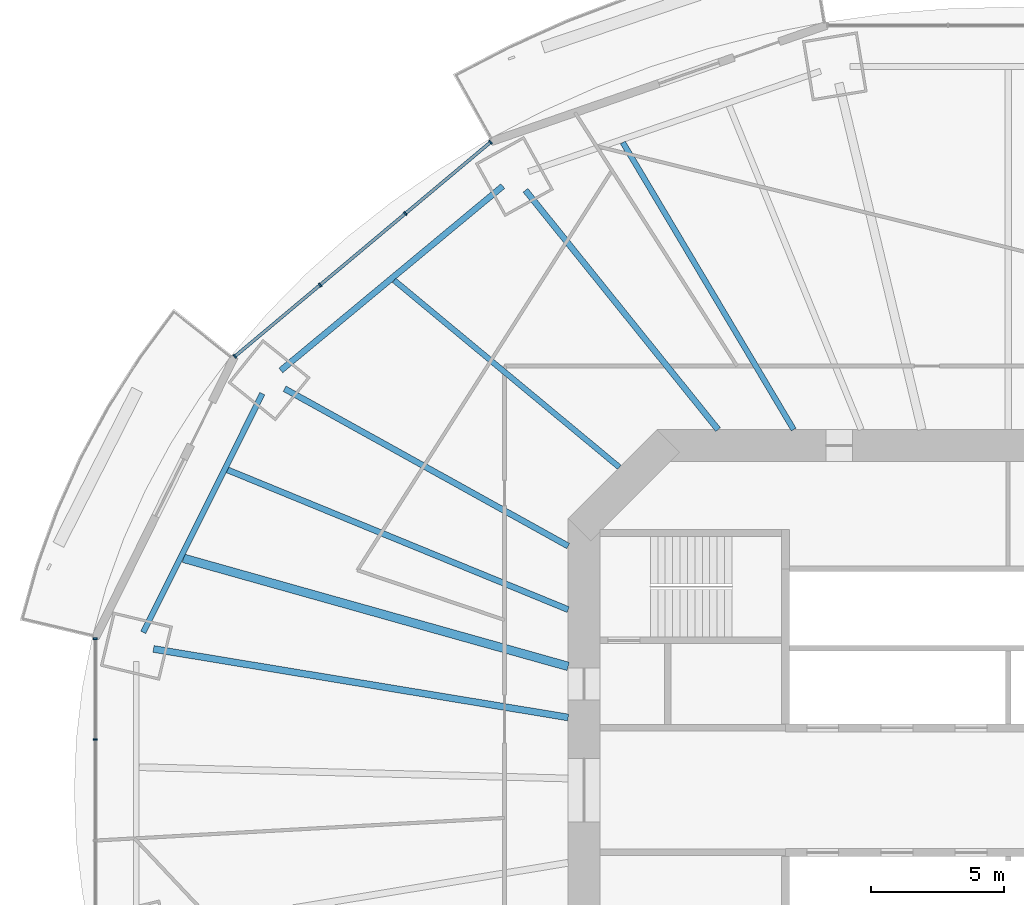
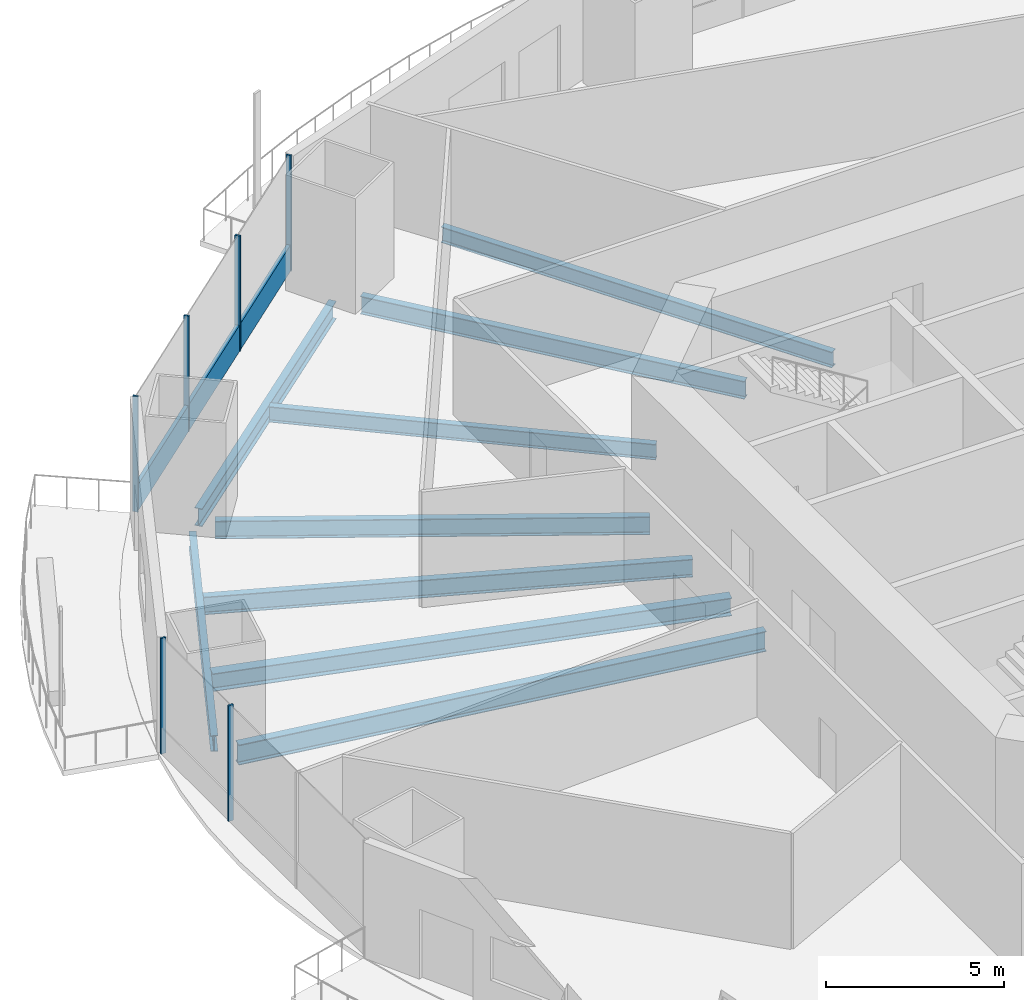
# One storey, part 6 of 22: 9 beams, 7 members, 2 elements without a shape of their own.
"""IFC4 building model written with IfcOpenShell, lengths in metres."""

from ifc_helpers import new_model, si_unit, direction, frame, origin, origin_2d, place, context, subcontext, project, spatial, rectangle, i_section, extrude, material, material_profile, profile_set, type_object, element, aggregate, save


model = new_model("IFC4")

# Units and contexts
model_context = context("Model", 3, precision=1e-05, world=origin(), true_north=direction((0.0, 1.0)))
body_context = subcontext(model_context, "Body", "Model", "MODEL_VIEW")
ifc_project = project(units=[si_unit("LENGTHUNIT", "METRE"), si_unit("AREAUNIT", "SQUARE_METRE"), si_unit("VOLUMEUNIT", "CUBIC_METRE"), si_unit("PLANEANGLEUNIT", "RADIAN"), si_unit("MASSUNIT", "GRAM", prefix="KILO")], contexts=[model_context])

# Site, building, storey
site_placement = place(None, origin())
site = spatial("IfcSite", under=ifc_project, at=site_placement, CompositionType="ELEMENT")
building_placement = place(site_placement, origin())
building = spatial("IfcBuilding", under=site, at=building_placement, Name="Marenthal Gate Tower", CompositionType="ELEMENT")
storey_placement = place(building_placement, frame((0.0, 0.0, 91.10009765625)))
storey = spatial("IfcBuildingStorey", under=building, at=storey_placement, Name="L18", CompositionType="ELEMENT", Elevation=91.10009765625)

# Curtain wall, members
ifc_material_1 = material(Name="Aluminium and glass", Category="aluminium")
curtain_wall_type = type_object("IfcCurtainWallType", Name="Curtain wall typical low", PredefinedType="NOTDEFINED", material=ifc_material_1)
curtain_wall_1_placement = place(storey_placement, origin())
curtain_wall_1 = element("IfcCurtainWall", 1, at=curtain_wall_1_placement, inside=storey, type_object=curtain_wall_type, Name="Curtain wall L18 bay 6", PredefinedType="NOTDEFINED")
ifc_material_2 = material(Name="Aluminium", Category="aluminium")
ifc_material_profile_1 = material_profile(ifc_material_2, rectangle(XDim=0.159912109375, YDim=0.06005859375, at=origin_2d()), Name="60x160 aluminium mullion")
ifc_profile_set_1 = profile_set([ifc_material_profile_1], Name="Aluminium")
member_type_1 = type_object("IfcMemberType", Name="Mullion 60x160 typical low", PredefinedType="MULLION", material=ifc_profile_set_1)
member_1_placement = place(storey_placement, frame((-19.529541015625, 24.44091796875, 0.0), z_axis=(0.0, 0.0, 1.0), x_axis=(0.642228281301, -0.766513427604, 0.0)))
member_1 = element("IfcMember", 2, at=member_1_placement, type_object=member_type_1, Name="Mullion L18 bay 6.1", PredefinedType="MULLION", context=body_context, shape_type="SweptSolid", body=[
    extrude(rectangle(XDim=0.159912109375, YDim=0.06005859375, at=origin_2d()), origin(), (0.0, 0.0, 1.0), 3.969970703125),
])
member_2_placement = place(storey_placement, frame((-22.7431640625, 21.748291015625, 0.0), z_axis=(0.0, 0.0, 1.0), x_axis=(0.642228281301, -0.766513427604, 0.0)))
member_2 = element("IfcMember", 3, at=member_2_placement, type_object=member_type_1, Name="Mullion L18 bay 6.2", PredefinedType="MULLION", context=body_context, shape_type="SweptSolid", body=[
    extrude(rectangle(XDim=0.159912109375, YDim=0.06005859375, at=origin_2d()), origin(), (0.0, 0.0, 1.0), 3.969970703125),
])
member_3_placement = place(storey_placement, frame((-25.95703125, 19.0556640625, 0.0), z_axis=(0.0, 0.0, 1.0), x_axis=(0.642228281301, -0.766513427604, 0.0)))
member_3 = element("IfcMember", 4, at=member_3_placement, type_object=member_type_1, Name="Mullion L18 bay 6.3", PredefinedType="MULLION", context=body_context, shape_type="SweptSolid", body=[
    extrude(rectangle(XDim=0.159912109375, YDim=0.06005859375, at=origin_2d()), origin(), (0.0, 0.0, 1.0), 3.969970703125),
])
member_4_placement = place(storey_placement, frame((-29.170654296875, 16.363037109375, 0.0), z_axis=(0.0, 0.0, 1.0), x_axis=(0.642228281301, -0.766513427604, 0.0)))
member_4 = element("IfcMember", 5, at=member_4_placement, type_object=member_type_1, Name="Mullion L18 bay 6.4", PredefinedType="MULLION", context=body_context, shape_type="SweptSolid", body=[
    extrude(rectangle(XDim=0.159912109375, YDim=0.06005859375, at=origin_2d()), origin(), (0.0, 0.0, 1.0), 3.969970703125),
])

curtain_wall_2_placement = place(storey_placement, origin())
curtain_wall_2 = element("IfcCurtainWall", 6, at=curtain_wall_2_placement, inside=storey, type_object=curtain_wall_type, Name="Curtain wall L18 bay 8", PredefinedType="NOTDEFINED")
member_5_placement = place(storey_placement, frame((-34.436279296875, 5.709228515625, 0.0), z_axis=(0.0, 0.0, 1.0), x_axis=(1.0, 0.0, 0.0)))
member_5 = element("IfcMember", 7, at=member_5_placement, type_object=member_type_1, Name="Mullion L18 bay 8.1", PredefinedType="MULLION", context=body_context, shape_type="SweptSolid", body=[
    extrude(rectangle(XDim=0.159912109375, YDim=0.06005859375, at=origin_2d()), origin(), (0.0, 0.0, 1.0), 3.969970703125),
])
member_6_placement = place(storey_placement, frame((-34.436279296875, 1.903076171875, 0.0), z_axis=(0.0, 0.0, 1.0), x_axis=(1.0, 0.0, 0.0)))
member_6 = element("IfcMember", 8, at=member_6_placement, type_object=member_type_1, Name="Mullion L18 bay 8.2", PredefinedType="MULLION", context=body_context, shape_type="SweptSolid", body=[
    extrude(rectangle(XDim=0.159912109375, YDim=0.06005859375, at=origin_2d()), origin(), (0.0, 0.0, 1.0), 3.969970703125),
])
aggregate(curtain_wall_2, [member_5, member_6])

# Member
ifc_material_3 = material(Name="Aluminium", Category="aluminium")
ifc_material_profile_2 = material_profile(ifc_material_3, rectangle(XDim=0.1201171875, YDim=0.89990234375, at=origin_2d()), Name="120x900 aluminium transom")
ifc_profile_set_2 = profile_set([ifc_material_profile_2], Name="Aluminium")
member_type_2 = type_object("IfcMemberType", Name="Transom 120x900 typical low", PredefinedType="USERDEFINED", material=ifc_profile_set_2)
member_7_placement = place(storey_placement, frame((-19.552490234375, 24.421630859375, 0.449951171875), z_axis=(-0.766517626831, -0.642223269399, 0.0), x_axis=(0.642223269399, -0.766517626831, 0.0)))
member_7 = element("IfcMember", 9, at=member_7_placement, type_object=member_type_2, Name="Transom L18 bay 6", ObjectType="TRANSOM", PredefinedType="USERDEFINED", context=body_context, shape_type="SweptSolid", body=[
    extrude(rectangle(XDim=0.1201171875, YDim=0.89990234375, at=origin_2d()), origin(), (0.0, 0.0, 1.0), 12.517822265625),
])

aggregate(curtain_wall_1, [member_1, member_2, member_3, member_4, member_7])

# Beams
ifc_material_4 = material(Name="Steel S355", Category="steel")
ifc_material_profile_3 = material_profile(ifc_material_4, i_section(OverallWidth=0.2099609375, OverallDepth=0.535888671875, WebThickness=0.010986328125, FlangeThickness=0.017333984375, FilletRadius=0.0126953125, at=origin_2d()), Name="W530X101")
ifc_profile_set_3 = profile_set([ifc_material_profile_3], Name="Steel S355")
beam_type_1 = type_object("IfcBeamType", Name="W530X101 beam", PredefinedType="BEAM", material=ifc_profile_set_3)
beam_1_placement = place(storey_placement, frame((-23.164794921875, 19.23193359375, -0.447998046875), z_axis=(0.769390815443, -0.638778344273, 0.0), x_axis=(0.638778344273, 0.769390815443, 0.0)))
element("IfcBeam", 10, at=beam_1_placement, inside=storey, type_object=beam_type_1, Name="BM-L18-25", PredefinedType="BEAM", context=body_context, shape_type="SweptSolid", body=[
    extrude(i_section(OverallWidth=0.2099609375, OverallDepth=0.535888671875, WebThickness=0.010986328125, FlangeThickness=0.017333984375, FilletRadius=0.0126953125, at=origin_2d()), origin(), (0.0, 0.0, 1.0), 11.041259765625),
])
ifc_material_5 = material(Name="Steel S355", Category="steel")
ifc_material_profile_4 = material_profile(ifc_material_5, i_section(OverallWidth=0.2119140625, OverallDepth=0.5439453125, WebThickness=0.01318359375, FlangeThickness=0.021240234375, FilletRadius=0.0126953125, at=origin_2d()), Name="W530X123")
ifc_profile_set_4 = profile_set([ifc_material_profile_4], Name="Steel S355")
beam_type_2 = type_object("IfcBeamType", Name="W530X123 beam", PredefinedType="BEAM", material=ifc_profile_set_4)
beam_2_placement = place(storey_placement, frame((-14.539794921875, 24.431396484375, -0.4521484375), z_axis=(0.511416092882, -0.859333218223, 0.0), x_axis=(0.859333218223, 0.511416092882, 0.0)))
element("IfcBeam", 11, at=beam_2_placement, inside=storey, type_object=beam_type_2, Name="BM-L18-24", PredefinedType="BEAM", context=body_context, shape_type="SweptSolid", body=[
    extrude(i_section(OverallWidth=0.2119140625, OverallDepth=0.5439453125, WebThickness=0.01318359375, FlangeThickness=0.021240234375, FilletRadius=0.0126953125, at=origin_2d()), origin(), (0.0, 0.0, 1.0), 12.604248046875),
])
beam_3_placement = place(storey_placement, frame((-28.13671875, 14.95166015625, -0.4521484375), z_axis=(-0.446427279823, -0.894819916983, 0.0), x_axis=(0.894819916983, -0.446427279823, 0.0)))
element("IfcBeam", 12, at=beam_3_placement, inside=storey, type_object=beam_type_2, Name="BM-L18-47", PredefinedType="BEAM", context=body_context, shape_type="SweptSolid", body=[
    extrude(i_section(OverallWidth=0.2119140625, OverallDepth=0.5439453125, WebThickness=0.01318359375, FlangeThickness=0.021240234375, FilletRadius=0.0126953125, at=origin_2d()), origin(), (0.0, 0.0, 1.0), 10.06201171875),
])
ifc_material_6 = material(Name="Steel S355", Category="steel")
ifc_material_profile_5 = material_profile(ifc_material_6, i_section(OverallWidth=0.22900390625, OverallDepth=0.612060546875, WebThickness=0.011962890625, FlangeThickness=0.01953125, FilletRadius=0.0126953125, at=origin_2d()), Name="W610X125")
ifc_profile_set_5 = profile_set([ifc_material_profile_5], Name="Steel S355")
beam_type_3 = type_object("IfcBeamType", Name="W610X125 beam", PredefinedType="BEAM", material=ifc_profile_set_5)
beam_4_placement = place(storey_placement, frame((-18.210693359375, 22.626708984375, -0.486083984375), z_axis=(0.626999737325, -0.779019466634, 0.0), x_axis=(0.779019466634, 0.626999737325, 0.0)))
element("IfcBeam", 13, at=beam_4_placement, inside=storey, type_object=beam_type_3, Name="BM-L18-06", PredefinedType="BEAM", context=body_context, shape_type="SweptSolid", body=[
    extrude(i_section(OverallWidth=0.22900390625, OverallDepth=0.612060546875, WebThickness=0.011962890625, FlangeThickness=0.01953125, FilletRadius=0.0126953125, at=origin_2d()), origin(), (0.0, 0.0, 1.0), 11.587158203125),
])
beam_5_placement = place(storey_placement, frame((-27.296630859375, 15.142333984375, -0.486083984375), z_axis=(0.874458374023, -0.485100558752, 0.0), x_axis=(0.485100558752, 0.874458374023, 0.0)))
element("IfcBeam", 14, at=beam_5_placement, inside=storey, type_object=beam_type_3, Name="BM-L18-07", PredefinedType="BEAM", context=body_context, shape_type="SweptSolid", body=[
    extrude(i_section(OverallWidth=0.22900390625, OverallDepth=0.612060546875, WebThickness=0.011962890625, FlangeThickness=0.01953125, FilletRadius=0.0126953125, at=origin_2d()), origin(), (0.0, 0.0, 1.0), 12.232177734375),
])
beam_6_placement = place(storey_placement, frame((-29.45068359375, 12.08056640625, -0.486083984375), z_axis=(0.925188716507, -0.379507363365, 0.0), x_axis=(0.379507363365, 0.925188716507, 0.0)))
element("IfcBeam", 15, at=beam_6_placement, inside=storey, type_object=beam_type_3, Name="BM-L18-26", PredefinedType="BEAM", context=body_context, shape_type="SweptSolid", body=[
    extrude(i_section(OverallWidth=0.22900390625, OverallDepth=0.612060546875, WebThickness=0.011962890625, FlangeThickness=0.01953125, FilletRadius=0.0126953125, at=origin_2d()), origin(), (0.0, 0.0, 1.0), 13.8896484375),
])
beam_7_placement = place(storey_placement, frame((-19.066162109375, 22.783447265625, -0.486083984375), z_axis=(-0.769402188258, -0.638764645784, 0.0), x_axis=(0.638764645784, -0.769402188258, 0.0)))
element("IfcBeam", 16, at=beam_7_placement, inside=storey, type_object=beam_type_3, Name="BM-L18-46", PredefinedType="BEAM", context=body_context, shape_type="SweptSolid", body=[
    extrude(i_section(OverallWidth=0.22900390625, OverallDepth=0.612060546875, WebThickness=0.011962890625, FlangeThickness=0.01953125, FilletRadius=0.0126953125, at=origin_2d()), origin(), (0.0, 0.0, 1.0), 10.884033203125),
])
ifc_material_7 = material(Name="Steel S355", Category="steel")
ifc_material_profile_6 = material_profile(ifc_material_7, i_section(OverallWidth=0.324951171875, OverallDepth=0.612060546875, WebThickness=0.0126953125, FlangeThickness=0.01904296875, FilletRadius=0.0126953125, at=origin_2d()), Name="W610X155")
ifc_profile_set_6 = profile_set([ifc_material_profile_6], Name="Steel S355")
beam_type_4 = type_object("IfcBeamType", Name="W610X155 beam", PredefinedType="BEAM", material=ifc_profile_set_6)
beam_8_placement = place(storey_placement, frame((-31.114013671875, 8.74658203125, -0.486083984375), z_axis=(0.962684828959, -0.270625054443, 0.0), x_axis=(0.270625054443, 0.962684828959, 0.0)))
element("IfcBeam", 17, at=beam_8_placement, inside=storey, type_object=beam_type_4, Name="BM-L18-27", PredefinedType="BEAM", context=body_context, shape_type="SweptSolid", body=[
    extrude(i_section(OverallWidth=0.324951171875, OverallDepth=0.612060546875, WebThickness=0.0126953125, FlangeThickness=0.01904296875, FilletRadius=0.0126953125, at=origin_2d()), origin(), (0.0, 0.0, 1.0), 15.076416015625),
])
ifc_material_8 = material(Name="Steel S355", Category="steel")
ifc_material_profile_7 = material_profile(ifc_material_8, i_section(OverallWidth=0.257080078125, OverallDepth=0.693115234375, WebThickness=0.014404296875, FlangeThickness=0.023681640625, FilletRadius=0.015380859375, at=origin_2d()), Name="W690X170")
ifc_profile_set_7 = profile_set([ifc_material_profile_7], Name="Steel S355")
beam_type_5 = type_object("IfcBeamType", Name="W690X170 beam", PredefinedType="BEAM", material=ifc_profile_set_7)
beam_9_placement = place(storey_placement, frame((-32.242431640625, 5.324462890625, -0.526611328125), z_axis=(0.986636314494, -0.162937972619, 0.0), x_axis=(0.162937972619, 0.986636314494, 0.0)))
element("IfcBeam", 18, at=beam_9_placement, inside=storey, type_object=beam_type_5, Name="BM-L18-08", PredefinedType="BEAM", context=body_context, shape_type="SweptSolid", body=[
    extrude(i_section(OverallWidth=0.257080078125, OverallDepth=0.693115234375, WebThickness=0.014404296875, FlangeThickness=0.023681640625, FilletRadius=0.015380859375, at=origin_2d()), origin(), (0.0, 0.0, 1.0), 15.854248046875),
])

save(model, "model.ifc")
